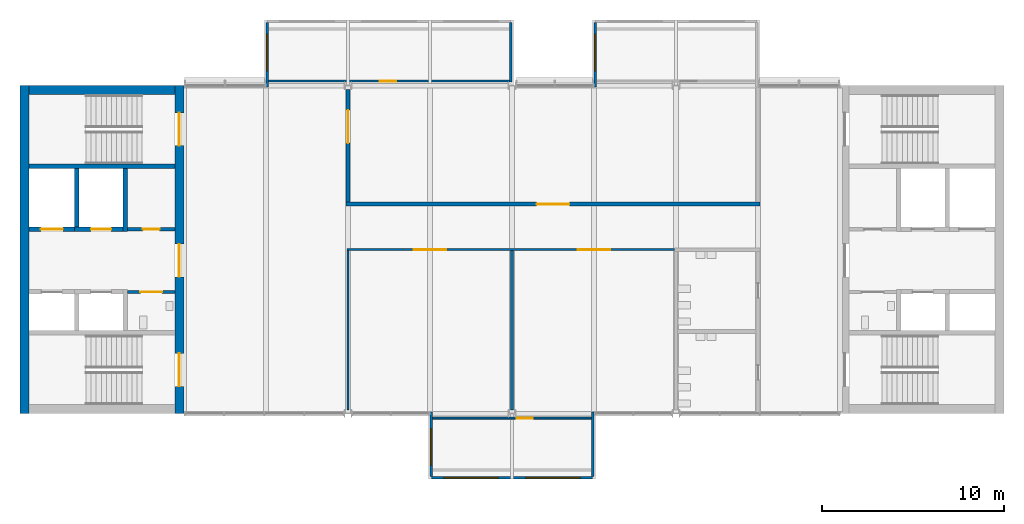
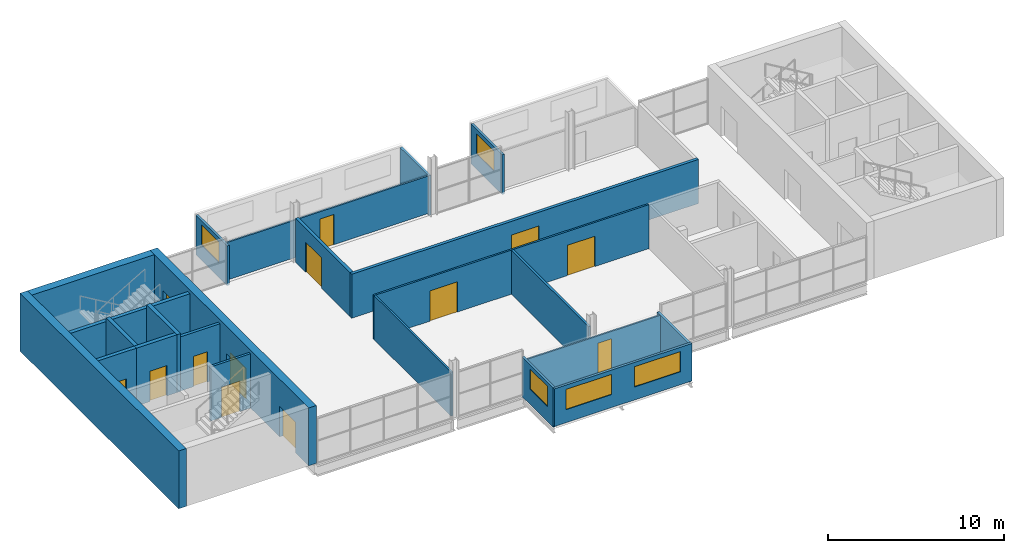
# One storey, part 5 of 10: 23 walls, 13 doors, 5 windows, 18 openings.
"""IFC4 building model written with IfcOpenShell, lengths in metres."""

from ifc_helpers import new_model, si_unit, direction, frame, frame_2d, origin, place, context, subcontext, project, spatial, rectangle, extrude, material, layer, layer_set, type_object, element, fill, save


model = new_model("IFC4")

# Units and contexts
model_context = context("Model", 3, precision=1e-05, world=origin(), true_north=direction((0.0, 1.0)))
body_context = subcontext(model_context, "Body", "Model", "MODEL_VIEW")
ifc_project = project(units=[si_unit("LENGTHUNIT", "METRE"), si_unit("AREAUNIT", "SQUARE_METRE"), si_unit("VOLUMEUNIT", "CUBIC_METRE"), si_unit("PLANEANGLEUNIT", "RADIAN"), si_unit("MASSUNIT", "GRAM", prefix="KILO")], contexts=[model_context])

# Site, building, storey
site_placement = place(None, origin())
site = spatial("IfcSite", under=ifc_project, at=site_placement, CompositionType="ELEMENT")
building_placement = place(site_placement, origin())
building = spatial("IfcBuilding", under=site, at=building_placement, Name="Corbel Yard City Hall", CompositionType="ELEMENT")
storey_placement = place(building_placement, frame((0.0, 0.0, 47.199951171875)))
storey = spatial("IfcBuildingStorey", under=building, at=storey_placement, Name="L11", CompositionType="ELEMENT", Elevation=47.199951171875)

# Walls
ifc_material_1 = material(Name="Concrete N40 (40 MPa)", Category="concrete")
ifc_layer_1 = layer(ifc_material_1, 0.25)
ifc_layer_set_1 = layer_set([ifc_layer_1], Name="Concrete N40 (40 MPa)")
wall_type_1 = type_object("IfcWallType", Name="IW2", PredefinedType="SOLIDWALL", material=ifc_layer_set_1)
wall_1_placement = place(storey_placement, frame((8.5, 112.574951171875, 0.0), z_axis=(0.0, 0.0, 1.0), x_axis=(-1.0, 0.0, 0.0)))
element("IfcWall", 1, at=wall_1_placement, inside=storey, type_object=wall_type_1, Name="Stair enclosure wall", PredefinedType="SOLIDWALL", context=body_context, shape_type="SweptSolid", body=[
    extrude(rectangle(XDim=8.0, YDim=0.25, at=frame_2d((4.0, 0.0))), origin(), (0.0, 0.0, 1.0), 3.75),
])
wall_2_placement = place(storey_placement, frame((5.77490234375, 109.0, 0.0), z_axis=(0.0, 0.0, 1.0), x_axis=(0.0, 1.0, 0.0)))
element("IfcWall", 2, at=wall_2_placement, inside=storey, type_object=wall_type_1, Name="Lift LP24 shaft wall", PredefinedType="SOLIDWALL", context=body_context, shape_type="SweptSolid", body=[
    extrude(rectangle(XDim=3.449951171875, YDim=0.25, at=frame_2d((1.72509765625, 0.0))), origin(), (0.0, 0.0, 1.0), 4.0),
])
wall_3_placement = place(storey_placement, frame((3.125, 109.25, 0.0), z_axis=(0.0, 0.0, 1.0), x_axis=(0.0, 1.0, 0.0)))
element("IfcWall", 3, at=wall_3_placement, inside=storey, type_object=wall_type_1, Name="Lift LP24 shaft wall", PredefinedType="SOLIDWALL", context=body_context, shape_type="SweptSolid", body=[
    extrude(rectangle(XDim=3.199951171875, YDim=0.25, at=frame_2d((1.60009765625, 0.0))), origin(), (0.0, 0.0, 1.0), 4.0),
])

# Wall, opening, door
wall_4_placement = place(storey_placement, frame((5.64990234375, 109.125, 0.0), z_axis=(0.0, 0.0, 1.0), x_axis=(-1.0, 0.0, 0.0)))
wall_4 = element("IfcWall", 4, at=wall_4_placement, inside=storey, type_object=wall_type_1, Name="Lift LP24 shaft wall", PredefinedType="SOLIDWALL", context=body_context, shape_type="SweptSolid", body=[
    extrude(rectangle(XDim=2.64990234375, YDim=0.25, at=frame_2d((1.324951171875, 0.0))), origin(), (0.0, 0.0, 1.0), 4.0),
])
opening_1_placement = place(wall_4_placement, frame((0.64990234375, 0.0, 0.0)))
opening_1 = element("IfcOpeningElement", 5, at=opening_1_placement, cuts=wall_4, Name="Opening T3-006", PredefinedType="OPENING", context=body_context, shape_type="SweptSolid", body=[
    extrude(rectangle(XDim=1.10009765625, YDim=2.10009765625, at=frame_2d((0.550048828125, 1.050048828125))), frame((0.0, 0.135009765625, 0.0), z_axis=(0.0, -1.0, 0.0), x_axis=(1.0, 0.0, 0.0)), (0.0, 0.0, 1.0), 0.27001953125),
])
ifc_material_2 = material(Name="Stainless steel Grade 316", Category="steel")
door_type_1 = type_object("IfcDoorType", Name="LD1", OperationType="DOUBLE_DOOR_SLIDING", PredefinedType="DOOR", material=ifc_material_2)
door_1_placement = place(opening_1_placement, origin())
door_1 = element("IfcDoor", 6, at=door_1_placement, inside=storey, type_object=door_type_1, Name="Lift LP24 landing door", OperationType="DOUBLE_DOOR_SLIDING", OverallHeight=2.10009765625, OverallWidth=1.10009765625, PredefinedType="DOOR", context=body_context, shape_type="SweptSolid", body=[
    extrude(rectangle(XDim=1.10009765625, YDim=2.10009765625, at=frame_2d((0.550048828125, 1.050048828125))), frame((0.0, 0.02490234375, 0.0), z_axis=(0.0, -1.0, 0.0), x_axis=(1.0, 0.0, 0.0)), (0.0, 0.0, 1.0), 0.050048828125),
])
fill(opening_1, door_1)

wall_5_placement = place(storey_placement, frame((3.0, 109.125, 0.0), z_axis=(0.0, 0.0, 1.0), x_axis=(-1.0, 0.0, 0.0)))
wall_5 = element("IfcWall", 7, at=wall_5_placement, inside=storey, type_object=wall_type_1, Name="Lift LF1 shaft wall", PredefinedType="SOLIDWALL", context=body_context, shape_type="SweptSolid", body=[
    extrude(rectangle(XDim=2.5, YDim=0.25, at=frame_2d((1.25, 0.0))), origin(), (0.0, 0.0, 1.0), 4.0),
])
opening_2_placement = place(wall_5_placement, frame((0.64990234375, 0.0, 0.0)))
opening_2 = element("IfcOpeningElement", 8, at=opening_2_placement, cuts=wall_5, Name="Opening T3-007", PredefinedType="OPENING", context=body_context, shape_type="SweptSolid", body=[
    extrude(rectangle(XDim=1.199951171875, YDim=2.10009765625, at=frame_2d((0.60009765625, 1.050048828125))), frame((0.0, 0.135009765625, 0.0), z_axis=(0.0, -1.0, 0.0), x_axis=(1.0, 0.0, 0.0)), (0.0, 0.0, 1.0), 0.27001953125),
])
door_type_2 = type_object("IfcDoorType", Name="LD2", OperationType="DOUBLE_DOOR_SLIDING", PredefinedType="DOOR", material=ifc_material_2)
door_2_placement = place(opening_2_placement, origin())
door_2 = element("IfcDoor", 9, at=door_2_placement, inside=storey, type_object=door_type_2, Name="Lift LF1 landing door", OperationType="DOUBLE_DOOR_SLIDING", OverallHeight=2.10009765625, OverallWidth=1.199951171875, PredefinedType="DOOR", context=body_context, shape_type="SweptSolid", body=[
    extrude(rectangle(XDim=1.199951171875, YDim=2.10009765625, at=frame_2d((0.60009765625, 1.050048828125))), frame((0.0, 0.02490234375, 0.0), z_axis=(0.0, -1.0, 0.0), x_axis=(1.0, 0.0, 0.0)), (0.0, 0.0, 1.0), 0.050048828125),
])
fill(opening_2, door_2)

# Wall, openings, windows
ifc_material_3 = material(Name="Anodised aluminium", Category="aluminium")
ifc_layer_2 = layer(ifc_material_3, 0.02392578125)
ifc_material_4 = material(Name="Steel Grade G550 (550 MPa yield)", Category="steel")
ifc_layer_3 = layer(ifc_material_4, 0.10009765625)
ifc_material_5 = material(Name="Gypsum plasterboard", Category="gypsum")
ifc_layer_4 = layer(ifc_material_5, 0.02587890625)
ifc_layer_set_2 = layer_set([ifc_layer_2, ifc_layer_3, ifc_layer_4], Name="Steel Grade G550 (550 MPa yield)")
wall_type_2 = type_object("IfcWallType", Name="PD1", PredefinedType="SOLIDWALL", material=ifc_layer_set_2)
wall_6_placement = place(storey_placement, frame((22.5, 95.47509765625, 0.0), z_axis=(0.0, 0.0, 1.0), x_axis=(1.0, 0.0, 0.0)))
wall_6 = element("IfcWall", 10, at=wall_6_placement, inside=storey, type_object=wall_type_2, Name="Pod outer wall L11", PredefinedType="SOLIDWALL", context=body_context, shape_type="SweptSolid", body=[
    extrude(rectangle(XDim=9.0, YDim=0.14990234375, at=frame_2d((4.5, 0.0))), origin(), (0.0, 0.0, 1.0), 2.60009765625),
])
opening_3_placement = place(wall_6_placement, frame((0.75, 0.0, 0.89990234375)))
opening_3 = element("IfcOpeningElement", 11, at=opening_3_placement, cuts=wall_6, Name="Opening WN5", PredefinedType="OPENING", context=body_context, shape_type="SweptSolid", body=[
    extrude(rectangle(XDim=3.0, YDim=1.39990234375, at=frame_2d((1.5, 0.699951171875))), frame((0.0, 0.0849609375, 0.0), z_axis=(0.0, -1.0, 0.0), x_axis=(1.0, 0.0, 0.0)), (0.0, 0.0, 1.0), 0.169921875),
])
opening_4_placement = place(wall_6_placement, frame((5.25, 0.0, 0.89990234375)))
opening_4 = element("IfcOpeningElement", 12, at=opening_4_placement, cuts=wall_6, Name="Opening WN5", PredefinedType="OPENING", context=body_context, shape_type="SweptSolid", body=[
    extrude(rectangle(XDim=3.0, YDim=1.39990234375, at=frame_2d((1.5, 0.699951171875))), frame((0.0, 0.0849609375, 0.0), z_axis=(0.0, -1.0, 0.0), x_axis=(1.0, 0.0, 0.0)), (0.0, 0.0, 1.0), 0.169921875),
])
ifc_material_6 = material(Name="Aluminium frame, double glazed low-e glass", Category="aluminium")
window_type_1 = type_object("IfcWindowType", Name="WN5", PartitioningType="SINGLE_PANEL", PredefinedType="WINDOW", material=ifc_material_6)
window_1_placement = place(opening_3_placement, origin())
window_1 = element("IfcWindow", 13, at=window_1_placement, inside=storey, type_object=window_type_1, Name="Window WN5 L11", OverallHeight=1.39990234375, OverallWidth=3.0, PartitioningType="SINGLE_PANEL", PredefinedType="WINDOW", context=body_context, shape_type="SweptSolid", body=[
    extrude(rectangle(XDim=3.0, YDim=1.39990234375, at=frame_2d((1.5, 0.699951171875))), frame((0.0, 0.030029296875, 0.0), z_axis=(0.0, -1.0, 0.0), x_axis=(1.0, 0.0, 0.0)), (0.0, 0.0, 1.0), 0.06005859375),
])
fill(opening_3, window_1)
window_2_placement = place(opening_4_placement, origin())
window_2 = element("IfcWindow", 14, at=window_2_placement, inside=storey, type_object=window_type_1, Name="Window WN5 L11", OverallHeight=1.39990234375, OverallWidth=3.0, PartitioningType="SINGLE_PANEL", PredefinedType="WINDOW", context=body_context, shape_type="SweptSolid", body=[
    extrude(rectangle(XDim=3.0, YDim=1.39990234375, at=frame_2d((1.5, 0.699951171875))), frame((0.0, 0.030029296875, 0.0), z_axis=(0.0, -1.0, 0.0), x_axis=(1.0, 0.0, 0.0)), (0.0, 0.0, 1.0), 0.06005859375),
])
fill(opening_4, window_2)

# Wall, opening, door
ifc_layer_5 = layer(ifc_material_5, 0.01806640625)
ifc_layer_6 = layer(ifc_material_4, 0.06396484375)
ifc_layer_7 = layer(ifc_material_5, 0.01806640625)
ifc_layer_set_3 = layer_set([ifc_layer_5, ifc_layer_6, ifc_layer_7], Name="Steel Grade G550 (550 MPa yield)")
wall_type_3 = type_object("IfcWallType", Name="PD2", PredefinedType="PARTITIONING", material=ifc_layer_set_3)
wall_7_placement = place(storey_placement, frame((22.64990234375, 98.75, 0.0), z_axis=(0.0, 0.0, 1.0), x_axis=(1.0, 0.0, 0.0)))
wall_7 = element("IfcWall", 15, at=wall_7_placement, inside=storey, type_object=wall_type_3, Name="Pod inner wall L11", PredefinedType="PARTITIONING", context=body_context, shape_type="SweptSolid", body=[
    extrude(rectangle(XDim=8.7001953125, YDim=0.10009765625, at=frame_2d((4.35009765625, 0.0))), origin(), (0.0, 0.0, 1.0), 2.60009765625),
])
opening_5_placement = place(wall_7_placement, frame((4.60009765625, 0.0, 0.0)))
opening_5 = element("IfcOpeningElement", 16, at=opening_5_placement, cuts=wall_7, Name="Opening T3-001", PredefinedType="OPENING", context=body_context, shape_type="SweptSolid", body=[
    extrude(rectangle(XDim=0.89990234375, YDim=2.10009765625, at=frame_2d((0.449951171875, 1.050048828125))), frame((0.0, 0.06005859375, 0.0), z_axis=(0.0, -1.0, 0.0), x_axis=(1.0, 0.0, 0.0)), (0.0, 0.0, 1.0), 0.1201171875),
])
ifc_material_7 = material(Name="Timber, solid core", Category="wood")
door_type_3 = type_object("IfcDoorType", Name="XD6", OperationType="SINGLE_SWING_LEFT", PredefinedType="DOOR", material=ifc_material_7)
door_3_placement = place(opening_5_placement, frame((0.89990234375, 0.0, 0.0), z_axis=(0.0, 0.0, 1.0), x_axis=(-1.0, 0.0, 0.0)))
door_3 = element("IfcDoor", 17, at=door_3_placement, inside=storey, type_object=door_type_3, Name="Pod door L11", OperationType="SINGLE_SWING_LEFT", OverallHeight=2.10009765625, OverallWidth=0.89990234375, PredefinedType="DOOR", context=body_context, shape_type="SweptSolid", body=[
    extrude(rectangle(XDim=0.89990234375, YDim=2.10009765625, at=frame_2d((0.449951171875, 1.050048828125))), frame((0.0, 0.02490234375, 0.0), z_axis=(0.0, -1.0, 0.0), x_axis=(1.0, 0.0, 0.0)), (0.0, 0.0, 1.0), 0.050048828125),
])
fill(opening_5, door_3)

wall_8_placement = place(storey_placement, frame((13.64990234375, 117.25, 0.0), z_axis=(0.0, 0.0, 1.0), x_axis=(1.0, 0.0, 0.0)))
wall_8 = element("IfcWall", 18, at=wall_8_placement, inside=storey, type_object=wall_type_3, Name="Pod inner wall L11", PredefinedType="PARTITIONING", context=body_context, shape_type="SweptSolid", body=[
    extrude(rectangle(XDim=13.2001953125, YDim=0.10009765625, at=frame_2d((6.60009765625, 0.0))), origin(), (0.0, 0.0, 1.0), 2.60009765625),
])
opening_6_placement = place(wall_8_placement, frame((6.10009765625, 0.0, 0.0)))
opening_6 = element("IfcOpeningElement", 19, at=opening_6_placement, cuts=wall_8, Name="Opening T3-002", PredefinedType="OPENING", context=body_context, shape_type="SweptSolid", body=[
    extrude(rectangle(XDim=0.89990234375, YDim=2.10009765625, at=frame_2d((0.449951171875, 1.050048828125))), frame((0.0, 0.06005859375, 0.0), z_axis=(0.0, -1.0, 0.0), x_axis=(1.0, 0.0, 0.0)), (0.0, 0.0, 1.0), 0.1201171875),
])
door_4_placement = place(opening_6_placement, origin())
door_4 = element("IfcDoor", 20, at=door_4_placement, inside=storey, type_object=door_type_3, Name="Pod door L11", OperationType="SINGLE_SWING_LEFT", OverallHeight=2.10009765625, OverallWidth=0.89990234375, PredefinedType="DOOR", context=body_context, shape_type="SweptSolid", body=[
    extrude(rectangle(XDim=0.89990234375, YDim=2.10009765625, at=frame_2d((0.449951171875, 1.050048828125))), frame((0.0, 0.02490234375, 0.0), z_axis=(0.0, -1.0, 0.0), x_axis=(1.0, 0.0, 0.0)), (0.0, 0.0, 1.0), 0.050048828125),
])
fill(opening_6, door_4)

# Wall, opening, window
ifc_layer_8 = layer(ifc_material_3, 0.02392578125)
ifc_layer_9 = layer(ifc_material_4, 0.10009765625)
ifc_layer_10 = layer(ifc_material_5, 0.02587890625)
ifc_layer_set_4 = layer_set([ifc_layer_8, ifc_layer_9, ifc_layer_10], Name="Steel Grade G550 (550 MPa yield)")
wall_type_4 = type_object("IfcWallType", Name="PD3", PredefinedType="SOLIDWALL", material=ifc_layer_set_4)
wall_9_placement = place(storey_placement, frame((22.574951171875, 95.550048828125, -0.14990234375), z_axis=(0.0, 0.0, 1.0), x_axis=(0.0, 1.0, 0.0)))
wall_9 = element("IfcWall", 21, at=wall_9_placement, inside=storey, type_object=wall_type_4, Name="Pod side wall L11", PredefinedType="SOLIDWALL", context=body_context, shape_type="SweptSolid", body=[
    extrude(rectangle(XDim=3.52490234375, YDim=0.14990234375, at=frame_2d((1.762451171875, 0.0))), origin(), (0.0, 0.0, 1.0), 2.75),
])
opening_7_placement = place(wall_9_placement, frame((0.625, 0.0, 1.050048828125)))
opening_7 = element("IfcOpeningElement", 22, at=opening_7_placement, cuts=wall_9, Name="Opening WN6", PredefinedType="OPENING", context=body_context, shape_type="SweptSolid", body=[
    extrude(rectangle(XDim=2.0, YDim=1.39990234375, at=frame_2d((1.0, 0.699951171875))), frame((0.0, 0.0849609375, 0.0), z_axis=(0.0, -1.0, 0.0), x_axis=(1.0, 0.0, 0.0)), (0.0, 0.0, 1.0), 0.169921875),
])
window_type_2 = type_object("IfcWindowType", Name="WN6", PartitioningType="SINGLE_PANEL", PredefinedType="WINDOW", material=ifc_material_6)
window_3_placement = place(opening_7_placement, origin())
window_3 = element("IfcWindow", 23, at=window_3_placement, inside=storey, type_object=window_type_2, Name="Window WN6 L11", OverallHeight=1.39990234375, OverallWidth=2.0, PartitioningType="SINGLE_PANEL", PredefinedType="WINDOW", context=body_context, shape_type="SweptSolid", body=[
    extrude(rectangle(XDim=2.0, YDim=1.39990234375, at=frame_2d((1.0, 0.699951171875))), frame((0.0, 0.030029296875, 0.0), z_axis=(0.0, -1.0, 0.0), x_axis=(1.0, 0.0, 0.0)), (0.0, 0.0, 1.0), 0.06005859375),
])
fill(opening_7, window_3)

# Wall
wall_10_placement = place(storey_placement, frame((31.425048828125, 95.550048828125, -0.14990234375), z_axis=(0.0, 0.0, 1.0), x_axis=(0.0, 1.0, 0.0)))
element("IfcWall", 24, at=wall_10_placement, inside=storey, type_object=wall_type_4, Name="Pod side wall L11", PredefinedType="SOLIDWALL", context=body_context, shape_type="SweptSolid", body=[
    extrude(rectangle(XDim=3.52490234375, YDim=0.14990234375, at=frame_2d((1.762451171875, 0.0))), origin(), (0.0, 0.0, 1.0), 2.75),
])

# Wall, opening, window
wall_11_placement = place(storey_placement, frame((13.574951171875, 120.449951171875, -0.14990234375), z_axis=(0.0, 0.0, 1.0), x_axis=(0.0, -1.0, 0.0)))
wall_11 = element("IfcWall", 25, at=wall_11_placement, inside=storey, type_object=wall_type_4, Name="Pod side wall L11", PredefinedType="SOLIDWALL", context=body_context, shape_type="SweptSolid", body=[
    extrude(rectangle(XDim=3.5400390625, YDim=0.14990234375, at=frame_2d((1.77001953125, 0.0))), origin(), (0.0, 0.0, 1.0), 2.75),
])
opening_8_placement = place(wall_11_placement, frame((0.625, 0.0, 1.050048828125)))
opening_8 = element("IfcOpeningElement", 26, at=opening_8_placement, cuts=wall_11, Name="Opening WN6", PredefinedType="OPENING", context=body_context, shape_type="SweptSolid", body=[
    extrude(rectangle(XDim=2.0, YDim=1.39990234375, at=frame_2d((1.0, 0.699951171875))), frame((0.0, 0.0849609375, 0.0), z_axis=(0.0, -1.0, 0.0), x_axis=(1.0, 0.0, 0.0)), (0.0, 0.0, 1.0), 0.169921875),
])
window_4_placement = place(opening_8_placement, origin())
window_4 = element("IfcWindow", 27, at=window_4_placement, inside=storey, type_object=window_type_2, Name="Window WN6 L11", OverallHeight=1.39990234375, OverallWidth=2.0, PartitioningType="SINGLE_PANEL", PredefinedType="WINDOW", context=body_context, shape_type="SweptSolid", body=[
    extrude(rectangle(XDim=2.0, YDim=1.39990234375, at=frame_2d((1.0, 0.699951171875))), frame((0.0, 0.030029296875, 0.0), z_axis=(0.0, -1.0, 0.0), x_axis=(1.0, 0.0, 0.0)), (0.0, 0.0, 1.0), 0.06005859375),
])
fill(opening_8, window_4)

# Wall
wall_12_placement = place(storey_placement, frame((26.925048828125, 120.449951171875, -0.14990234375), z_axis=(0.0, 0.0, 1.0), x_axis=(0.0, -1.0, 0.0)))
element("IfcWall", 28, at=wall_12_placement, inside=storey, type_object=wall_type_4, Name="Pod side wall L11", PredefinedType="SOLIDWALL", context=body_context, shape_type="SweptSolid", body=[
    extrude(rectangle(XDim=3.25, YDim=0.14990234375, at=frame_2d((1.625, 0.0))), origin(), (0.0, 0.0, 1.0), 2.75),
])

# Wall, opening, window
wall_13_placement = place(storey_placement, frame((31.574951171875, 120.449951171875, -0.14990234375), z_axis=(0.0, 0.0, 1.0), x_axis=(0.0, -1.0, 0.0)))
wall_13 = element("IfcWall", 29, at=wall_13_placement, inside=storey, type_object=wall_type_4, Name="Pod side wall L11", PredefinedType="SOLIDWALL", context=body_context, shape_type="SweptSolid", body=[
    extrude(rectangle(XDim=3.5400390625, YDim=0.14990234375, at=frame_2d((1.77001953125, 0.0))), origin(), (0.0, 0.0, 1.0), 2.75),
])
opening_9_placement = place(wall_13_placement, frame((0.625, 0.0, 1.050048828125)))
opening_9 = element("IfcOpeningElement", 30, at=opening_9_placement, cuts=wall_13, Name="Opening WN6", PredefinedType="OPENING", context=body_context, shape_type="SweptSolid", body=[
    extrude(rectangle(XDim=2.0, YDim=1.39990234375, at=frame_2d((1.0, 0.699951171875))), frame((0.0, 0.0849609375, 0.0), z_axis=(0.0, -1.0, 0.0), x_axis=(1.0, 0.0, 0.0)), (0.0, 0.0, 1.0), 0.169921875),
])
window_5_placement = place(opening_9_placement, origin())
window_5 = element("IfcWindow", 31, at=window_5_placement, inside=storey, type_object=window_type_2, Name="Window WN6 L11", OverallHeight=1.39990234375, OverallWidth=2.0, PartitioningType="SINGLE_PANEL", PredefinedType="WINDOW", context=body_context, shape_type="SweptSolid", body=[
    extrude(rectangle(XDim=2.0, YDim=1.39990234375, at=frame_2d((1.0, 0.699951171875))), frame((0.0, 0.030029296875, 0.0), z_axis=(0.0, -1.0, 0.0), x_axis=(1.0, 0.0, 0.0)), (0.0, 0.0, 1.0), 0.06005859375),
])
fill(opening_9, window_5)

# Wall, opening, door
ifc_layer_11 = layer(ifc_material_5, 0.031982421875)
ifc_layer_12 = layer(ifc_material_4, 0.135986328125)
ifc_layer_13 = layer(ifc_material_5, 0.031982421875)
ifc_layer_set_5 = layer_set([ifc_layer_11, ifc_layer_12, ifc_layer_13], Name="Steel Grade G550 (550 MPa yield)")
wall_type_5 = type_object("IfcWallType", Name="PT2", PredefinedType="PARTITIONING", material=ifc_layer_set_5)
wall_14_placement = place(storey_placement, frame((17.89990234375, 110.5, 0.0), z_axis=(0.0, 0.0, 1.0), x_axis=(1.0, 0.0, 0.0)))
wall_14 = element("IfcWall", 32, at=wall_14_placement, inside=storey, type_object=wall_type_5, Name="Acoustic wall", PredefinedType="PARTITIONING", context=body_context, shape_type="SweptSolid", body=[
    extrude(rectangle(XDim=22.7001953125, YDim=0.199951171875, at=frame_2d((11.35009765625, 0.0))), origin(), (0.0, 0.0, 1.0), 3.050048828125),
])
opening_10_placement = place(wall_14_placement, frame((10.449951171875, 0.0, 0.0)))
opening_10 = element("IfcOpeningElement", 33, at=opening_10_placement, cuts=wall_14, Name="Opening T3-015", PredefinedType="OPENING", context=body_context, shape_type="SweptSolid", body=[
    extrude(rectangle(XDim=1.800048828125, YDim=2.10009765625, at=frame_2d((0.89990234375, 1.050048828125))), frame((0.0, 0.10986328125, 0.0), z_axis=(0.0, -1.0, 0.0), x_axis=(1.0, 0.0, 0.0)), (0.0, 0.0, 1.0), 0.219970703125),
])
ifc_material_8 = material(Name="Timber", Category="wood")
door_type_4 = type_object("IfcDoorType", Name="D3", OperationType="DOUBLE_DOOR_SINGLE_SWING", PredefinedType="DOOR", material=ifc_material_8)
door_5_placement = place(opening_10_placement, origin())
door_5 = element("IfcDoor", 34, at=door_5_placement, inside=storey, type_object=door_type_4, Name="Door Open Office 1110", OperationType="DOUBLE_DOOR_SINGLE_SWING", OverallHeight=2.10009765625, OverallWidth=1.800048828125, PredefinedType="DOOR", context=body_context, shape_type="SweptSolid", body=[
    extrude(rectangle(XDim=1.800048828125, YDim=2.10009765625, at=frame_2d((0.89990234375, 1.050048828125))), frame((0.0, 0.02490234375, 0.0), z_axis=(0.0, -1.0, 0.0), x_axis=(1.0, 0.0, 0.0)), (0.0, 0.0, 1.0), 0.050048828125),
])
fill(opening_10, door_5)

wall_15_placement = place(storey_placement, frame((18.0, 110.60009765625, 0.0), z_axis=(0.0, 0.0, 1.0), x_axis=(0.0, 1.0, 0.0)))
wall_15 = element("IfcWall", 35, at=wall_15_placement, inside=storey, type_object=wall_type_5, Name="Acoustic wall", PredefinedType="PARTITIONING", context=body_context, shape_type="SweptSolid", body=[
    extrude(rectangle(XDim=6.19287109375, YDim=0.199951171875, at=frame_2d((3.096435546875, 0.0))), origin(), (0.0, 0.0, 1.0), 3.050048828125),
])
opening_11_placement = place(wall_15_placement, frame((3.25, 0.0, 0.0)))
opening_11 = element("IfcOpeningElement", 36, at=opening_11_placement, cuts=wall_15, Name="Opening T3-016", PredefinedType="OPENING", context=body_context, shape_type="SweptSolid", body=[
    extrude(rectangle(XDim=1.800048828125, YDim=2.10009765625, at=frame_2d((0.89990234375, 1.050048828125))), frame((0.0, 0.10986328125, 0.0), z_axis=(0.0, -1.0, 0.0), x_axis=(1.0, 0.0, 0.0)), (0.0, 0.0, 1.0), 0.219970703125),
])
door_6_placement = place(opening_11_placement, origin())
door_6 = element("IfcDoor", 37, at=door_6_placement, inside=storey, type_object=door_type_4, Name="Door Open Office 1110", OperationType="DOUBLE_DOOR_SINGLE_SWING", OverallHeight=2.10009765625, OverallWidth=1.800048828125, PredefinedType="DOOR", context=body_context, shape_type="SweptSolid", body=[
    extrude(rectangle(XDim=1.800048828125, YDim=2.10009765625, at=frame_2d((0.89990234375, 1.050048828125))), frame((0.0, 0.02490234375, 0.0), z_axis=(0.0, -1.0, 0.0), x_axis=(1.0, 0.0, 0.0)), (0.0, 0.0, 1.0), 0.050048828125),
])
fill(opening_11, door_6)

ifc_layer_14 = layer(ifc_material_5, 0.031982421875)
ifc_layer_15 = layer(ifc_material_4, 0.095947265625)
ifc_layer_16 = layer(ifc_material_5, 0.031982421875)
ifc_layer_set_6 = layer_set([ifc_layer_14, ifc_layer_15, ifc_layer_16], Name="Steel Grade G550 (550 MPa yield)")
wall_type_6 = type_object("IfcWallType", Name="PT3", PredefinedType="PARTITIONING", material=ifc_layer_set_6)
wall_16_placement = place(storey_placement, frame((8.5, 105.675048828125, 0.0), z_axis=(0.0, 0.0, 1.0), x_axis=(-1.0, 0.0, 0.0)))
wall_16 = element("IfcWall", 38, at=wall_16_placement, inside=storey, type_object=wall_type_6, Name="Accessible WC wall", PredefinedType="PARTITIONING", context=body_context, shape_type="SweptSolid", body=[
    extrude(rectangle(XDim=2.60009765625, YDim=0.159912109375, at=frame_2d((1.300048828125, 0.0))), origin(), (0.0, 0.0, 1.0), 3.75),
])
opening_12_placement = place(wall_16_placement, frame((0.699951171875, 0.0, 0.0)))
opening_12 = element("IfcOpeningElement", 39, at=opening_12_placement, cuts=wall_16, Name="Opening T3-020", PredefinedType="OPENING", context=body_context, shape_type="SweptSolid", body=[
    extrude(rectangle(XDim=1.199951171875, YDim=2.10009765625, at=frame_2d((0.60009765625, 1.050048828125))), frame((0.0, 0.08984375, 0.0), z_axis=(0.0, -1.0, 0.0), x_axis=(1.0, 0.0, 0.0)), (0.0, 0.0, 1.0), 0.179931640625),
])
ifc_material_9 = material(Name="Steel Grade G250", Category="steel")
door_type_5 = type_object("IfcDoorType", Name="FD7", OperationType="SINGLE_SWING_LEFT", PredefinedType="DOOR", material=ifc_material_9)
door_7_placement = place(opening_12_placement, origin())
door_7 = element("IfcDoor", 40, at=door_7_placement, inside=storey, type_object=door_type_5, Name="Door accessible WC West", OperationType="SINGLE_SWING_LEFT", OverallHeight=2.10009765625, OverallWidth=1.199951171875, PredefinedType="DOOR", context=body_context, shape_type="SweptSolid", body=[
    extrude(rectangle(XDim=1.199951171875, YDim=2.10009765625, at=frame_2d((0.60009765625, 1.050048828125))), frame((0.0, 0.02490234375, 0.0), z_axis=(0.0, -1.0, 0.0), x_axis=(1.0, 0.0, 0.0)), (0.0, 0.0, 1.0), 0.050048828125),
])
fill(opening_12, door_7)

ifc_material_10 = material(Name="Concrete block", Category="concrete")
ifc_layer_17 = layer(ifc_material_10, 0.18994140625)
ifc_layer_set_7 = layer_set([ifc_layer_17], Name="Concrete block")
wall_type_7 = type_object("IfcWallType", Name="PT4", PredefinedType="PARTITIONING", material=ifc_layer_set_7)
wall_17_placement = place(storey_placement, frame((8.5, 109.125, 0.0), z_axis=(0.0, 0.0, 1.0), x_axis=(-1.0, 0.0, 0.0)))
wall_17 = element("IfcWall", 41, at=wall_17_placement, inside=storey, type_object=wall_type_7, Name="Riser wall", PredefinedType="PARTITIONING", context=body_context, shape_type="SweptSolid", body=[
    extrude(rectangle(XDim=2.60009765625, YDim=0.18994140625, at=frame_2d((1.300048828125, 0.0))), origin(), (0.0, 0.0, 1.0), 3.75),
])
opening_13_placement = place(wall_17_placement, frame((0.840087890625, 0.0, 0.0)))
opening_13 = element("IfcOpeningElement", 42, at=opening_13_placement, cuts=wall_17, Name="Opening T3-021", PredefinedType="OPENING", context=body_context, shape_type="SweptSolid", body=[
    extrude(rectangle(XDim=0.919921875, YDim=2.10009765625, at=frame_2d((0.4599609375, 1.050048828125))), frame((0.0, 0.10498046875, 0.0), z_axis=(0.0, -1.0, 0.0), x_axis=(1.0, 0.0, 0.0)), (0.0, 0.0, 1.0), 0.2099609375),
])
door_type_6 = type_object("IfcDoorType", Name="FS4", OperationType="SINGLE_SWING_LEFT", PredefinedType="DOOR", material=ifc_material_9)
door_8_placement = place(opening_13_placement, frame((0.919921875, 0.0, 0.0), z_axis=(0.0, 0.0, 1.0), x_axis=(-1.0, 0.0, 0.0)))
door_8 = element("IfcDoor", 43, at=door_8_placement, inside=storey, type_object=door_type_6, Name="Door riser West", OperationType="SINGLE_SWING_RIGHT", OverallHeight=2.10009765625, OverallWidth=0.919921875, PredefinedType="DOOR", context=body_context, shape_type="SweptSolid", body=[
    extrude(rectangle(XDim=0.919921875, YDim=2.10009765625, at=frame_2d((0.4599609375, 1.050048828125))), frame((0.0, 0.02490234375, 0.0), z_axis=(0.0, -1.0, 0.0), x_axis=(1.0, 0.0, 0.0)), (0.0, 0.0, 1.0), 0.050048828125),
])
fill(opening_13, door_8)

# Wall, openings, doors
ifc_material_11 = material(Name="Glass", Category="glass")
ifc_layer_18 = layer(ifc_material_11, 0.1201171875)
ifc_layer_set_8 = layer_set([ifc_layer_18], Name="Glass")
wall_type_8 = type_object("IfcWallType", Name="PT41", PredefinedType="PARTITIONING", material=ifc_layer_set_8)
wall_18_placement = place(storey_placement, frame((17.93994140625, 108.0, 0.0), z_axis=(0.0, 0.0, 1.0), x_axis=(1.0, 0.0, 0.0)))
wall_18 = element("IfcWall", 44, at=wall_18_placement, inside=storey, type_object=wall_type_8, Name="Glazed partition", PredefinedType="PARTITIONING", context=body_context, shape_type="SweptSolid", body=[
    extrude(rectangle(XDim=17.985107421875, YDim=0.1201171875, at=frame_2d((8.99267578125, 0.0))), origin(), (0.0, 0.0, 1.0), 3.050048828125),
])
opening_14_placement = place(wall_18_placement, frame((3.659912109375, 0.0, 0.0)))
opening_14 = element("IfcOpeningElement", 45, at=opening_14_placement, cuts=wall_18, Name="Opening T3-011", PredefinedType="OPENING", context=body_context, shape_type="SweptSolid", body=[
    extrude(rectangle(XDim=1.800048828125, YDim=2.10009765625, at=frame_2d((0.89990234375, 1.050048828125))), frame((0.0, 0.070068359375, 0.0), z_axis=(0.0, -1.0, 0.0), x_axis=(1.0, 0.0, 0.0)), (0.0, 0.0, 1.0), 0.14013671875),
])
opening_15_placement = place(wall_18_placement, frame((12.659912109375, 0.0, 0.0)))
opening_15 = element("IfcOpeningElement", 46, at=opening_15_placement, cuts=wall_18, Name="Opening T3-012", PredefinedType="OPENING", context=body_context, shape_type="SweptSolid", body=[
    extrude(rectangle(XDim=1.800048828125, YDim=2.10009765625, at=frame_2d((0.89990234375, 1.050048828125))), frame((0.0, 0.070068359375, 0.0), z_axis=(0.0, -1.0, 0.0), x_axis=(1.0, 0.0, 0.0)), (0.0, 0.0, 1.0), 0.14013671875),
])
door_9_placement = place(opening_14_placement, origin())
door_9 = element("IfcDoor", 47, at=door_9_placement, inside=storey, type_object=door_type_4, Name="Door Meeting Suite 1106", OperationType="DOUBLE_DOOR_SINGLE_SWING", OverallHeight=2.10009765625, OverallWidth=1.800048828125, PredefinedType="DOOR", context=body_context, shape_type="SweptSolid", body=[
    extrude(rectangle(XDim=1.800048828125, YDim=2.10009765625, at=frame_2d((0.89990234375, 1.050048828125))), frame((0.0, 0.02490234375, 0.0), z_axis=(0.0, -1.0, 0.0), x_axis=(1.0, 0.0, 0.0)), (0.0, 0.0, 1.0), 0.050048828125),
])
fill(opening_14, door_9)
door_10_placement = place(opening_15_placement, origin())
door_10 = element("IfcDoor", 48, at=door_10_placement, inside=storey, type_object=door_type_4, Name="Door Meeting Suite 1107", OperationType="DOUBLE_DOOR_SINGLE_SWING", OverallHeight=2.10009765625, OverallWidth=1.800048828125, PredefinedType="DOOR", context=body_context, shape_type="SweptSolid", body=[
    extrude(rectangle(XDim=1.800048828125, YDim=2.10009765625, at=frame_2d((0.89990234375, 1.050048828125))), frame((0.0, 0.02490234375, 0.0), z_axis=(0.0, -1.0, 0.0), x_axis=(1.0, 0.0, 0.0)), (0.0, 0.0, 1.0), 0.050048828125),
])
fill(opening_15, door_10)

# Walls
wall_19_placement = place(storey_placement, frame((18.0, 99.20703125, 0.0), z_axis=(0.0, 0.0, 1.0), x_axis=(0.0, 1.0, 0.0)))
element("IfcWall", 49, at=wall_19_placement, inside=storey, type_object=wall_type_8, Name="Glazed partition", PredefinedType="PARTITIONING", context=body_context, shape_type="SweptSolid", body=[
    extrude(rectangle(XDim=8.73291015625, YDim=0.1201171875, at=frame_2d((4.366455078125, 0.0))), origin(), (0.0, 0.0, 1.0), 3.050048828125),
])
ifc_layer_19 = layer(ifc_material_5, 0.031982421875)
ifc_layer_20 = layer(ifc_material_4, 0.0859375)
ifc_layer_21 = layer(ifc_material_5, 0.031982421875)
ifc_layer_set_9 = layer_set([ifc_layer_19, ifc_layer_20, ifc_layer_21], Name="Steel Grade G550 (550 MPa yield)")
wall_type_9 = type_object("IfcWallType", Name="PT7", PredefinedType="PARTITIONING", material=ifc_layer_set_9)
wall_20_placement = place(storey_placement, frame((27.0, 99.20703125, 0.0), z_axis=(0.0, 0.0, 1.0), x_axis=(0.0, 1.0, 0.0)))
element("IfcWall", 50, at=wall_20_placement, inside=storey, type_object=wall_type_9, Name="Suite partition", PredefinedType="PARTITIONING", context=body_context, shape_type="SweptSolid", body=[
    extrude(rectangle(XDim=8.73291015625, YDim=0.14990234375, at=frame_2d((4.366455078125, 0.0))), origin(), (0.0, 0.0, 1.0), 3.050048828125),
])
ifc_material_12 = material(Name="Concrete N50 (50 MPa)", Category="concrete")
ifc_layer_22 = layer(ifc_material_12, 0.5)
ifc_layer_set_10 = layer_set([ifc_layer_22], Name="Concrete N50 (50 MPa)")
wall_type_10 = type_object("IfcWallType", Name="Trunk wall 500", PredefinedType="SHEAR", material=ifc_layer_set_10)
wall_21_placement = place(storey_placement, frame((0.25, 99.0, 0.0), z_axis=(0.0, 0.0, 1.0), x_axis=(0.0, 1.0, 0.0)))
element("IfcWall", 51, at=wall_21_placement, inside=storey, type_object=wall_type_10, Name="Trunk W west wall", PredefinedType="SHEAR", context=body_context, shape_type="SweptSolid", body=[
    extrude(rectangle(XDim=18.0, YDim=0.5, at=frame_2d((9.0, 0.0))), origin(), (0.0, 0.0, 1.0), 4.0),
])

# Wall, openings, doors
wall_22_placement = place(storey_placement, frame((8.75, 99.0, 0.0), z_axis=(0.0, 0.0, 1.0), x_axis=(0.0, 1.0, 0.0)))
wall_22 = element("IfcWall", 52, at=wall_22_placement, inside=storey, type_object=wall_type_10, Name="Trunk W east wall", PredefinedType="SHEAR", context=body_context, shape_type="SweptSolid", body=[
    extrude(rectangle(XDim=18.0, YDim=0.5, at=frame_2d((9.0, 0.0))), origin(), (0.0, 0.0, 1.0), 4.0),
])
opening_16_placement = place(wall_22_placement, frame((1.5, 0.0, 0.0)))
opening_16 = element("IfcOpeningElement", 53, at=opening_16_placement, cuts=wall_22, Name="Opening T3-017", PredefinedType="OPENING", context=body_context, shape_type="SweptSolid", body=[
    extrude(rectangle(XDim=1.800048828125, YDim=2.10009765625, at=frame_2d((0.89990234375, 1.050048828125))), frame((0.0, 0.260009765625, 0.0), z_axis=(0.0, -1.0, 0.0), x_axis=(1.0, 0.0, 0.0)), (0.0, 0.0, 1.0), 0.52001953125),
])
opening_17_placement = place(wall_22_placement, frame((14.699951171875, 0.0, 0.0)))
opening_17 = element("IfcOpeningElement", 54, at=opening_17_placement, cuts=wall_22, Name="Opening T3-018", PredefinedType="OPENING", context=body_context, shape_type="SweptSolid", body=[
    extrude(rectangle(XDim=1.800048828125, YDim=2.10009765625, at=frame_2d((0.89990234375, 1.050048828125))), frame((0.0, 0.260009765625, 0.0), z_axis=(0.0, -1.0, 0.0), x_axis=(1.0, 0.0, 0.0)), (0.0, 0.0, 1.0), 0.52001953125),
])
opening_18_placement = place(wall_22_placement, frame((7.5, 0.0, 0.0)))
opening_18 = element("IfcOpeningElement", 55, at=opening_18_placement, cuts=wall_22, Name="Opening T3-019", PredefinedType="OPENING", context=body_context, shape_type="SweptSolid", body=[
    extrude(rectangle(XDim=1.800048828125, YDim=2.10009765625, at=frame_2d((0.89990234375, 1.050048828125))), frame((0.0, 0.260009765625, 0.0), z_axis=(0.0, -1.0, 0.0), x_axis=(1.0, 0.0, 0.0)), (0.0, 0.0, 1.0), 0.52001953125),
])
door_type_7 = type_object("IfcDoorType", Name="FS3", OperationType="DOUBLE_DOOR_SINGLE_SWING", PredefinedType="DOOR", material=ifc_material_9)
door_11_placement = place(opening_16_placement, origin())
door_11 = element("IfcDoor", 56, at=door_11_placement, inside=storey, type_object=door_type_7, Name="Door ST-W1", OperationType="DOUBLE_DOOR_SINGLE_SWING", OverallHeight=2.10009765625, OverallWidth=1.800048828125, PredefinedType="DOOR", context=body_context, shape_type="SweptSolid", body=[
    extrude(rectangle(XDim=1.800048828125, YDim=2.10009765625, at=frame_2d((0.89990234375, 1.050048828125))), frame((0.0, 0.02490234375, 0.0), z_axis=(0.0, -1.0, 0.0), x_axis=(1.0, 0.0, 0.0)), (0.0, 0.0, 1.0), 0.050048828125),
])
fill(opening_16, door_11)
door_12_placement = place(opening_17_placement, origin())
door_12 = element("IfcDoor", 57, at=door_12_placement, inside=storey, type_object=door_type_7, Name="Door ST-W2", OperationType="DOUBLE_DOOR_SINGLE_SWING", OverallHeight=2.10009765625, OverallWidth=1.800048828125, PredefinedType="DOOR", context=body_context, shape_type="SweptSolid", body=[
    extrude(rectangle(XDim=1.800048828125, YDim=2.10009765625, at=frame_2d((0.89990234375, 1.050048828125))), frame((0.0, 0.02490234375, 0.0), z_axis=(0.0, -1.0, 0.0), x_axis=(1.0, 0.0, 0.0)), (0.0, 0.0, 1.0), 0.050048828125),
])
fill(opening_17, door_12)
door_13_placement = place(opening_18_placement, origin())
door_13 = element("IfcDoor", 58, at=door_13_placement, inside=storey, type_object=door_type_7, Name="Door lift lobby West", OperationType="DOUBLE_DOOR_SINGLE_SWING", OverallHeight=2.10009765625, OverallWidth=1.800048828125, PredefinedType="DOOR", context=body_context, shape_type="SweptSolid", body=[
    extrude(rectangle(XDim=1.800048828125, YDim=2.10009765625, at=frame_2d((0.89990234375, 1.050048828125))), frame((0.0, 0.02490234375, 0.0), z_axis=(0.0, -1.0, 0.0), x_axis=(1.0, 0.0, 0.0)), (0.0, 0.0, 1.0), 0.050048828125),
])
fill(opening_18, door_13)

# Wall
wall_23_placement = place(storey_placement, frame((0.5, 116.75, 0.0), z_axis=(0.0, 0.0, 1.0), x_axis=(1.0, 0.0, 0.0)))
element("IfcWall", 59, at=wall_23_placement, inside=storey, type_object=wall_type_10, Name="Trunk W north wall", PredefinedType="SHEAR", context=body_context, shape_type="SweptSolid", body=[
    extrude(rectangle(XDim=8.0, YDim=0.5, at=frame_2d((4.0, 0.0))), origin(), (0.0, 0.0, 1.0), 4.0),
])

save(model, "model.ifc")
